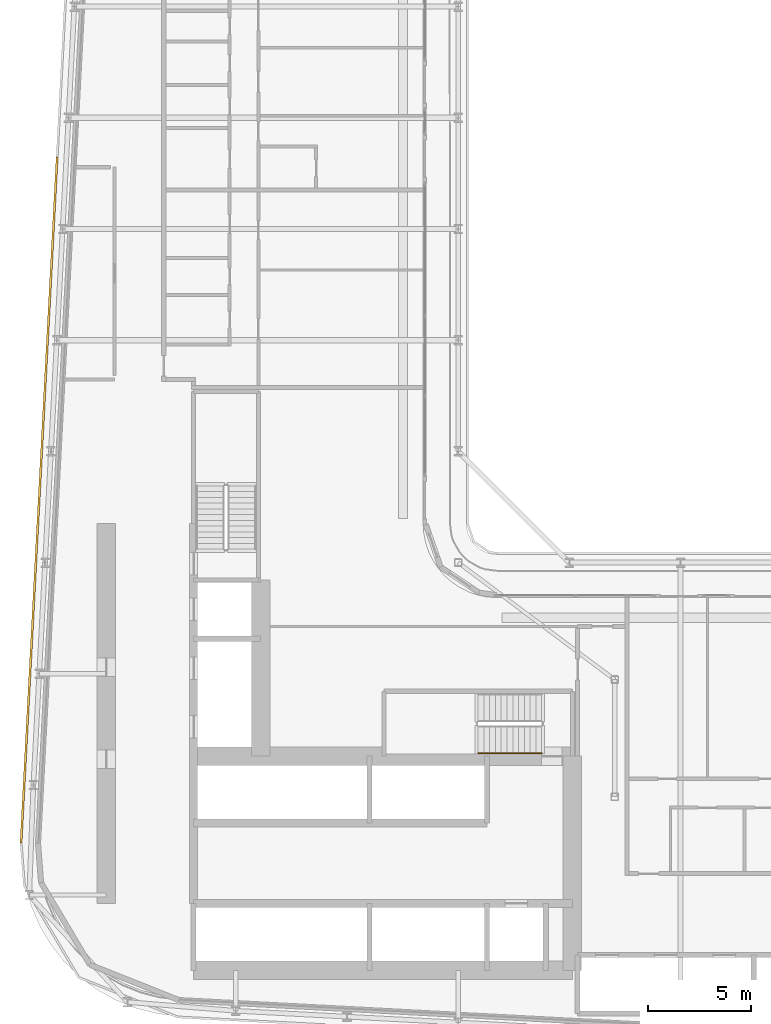
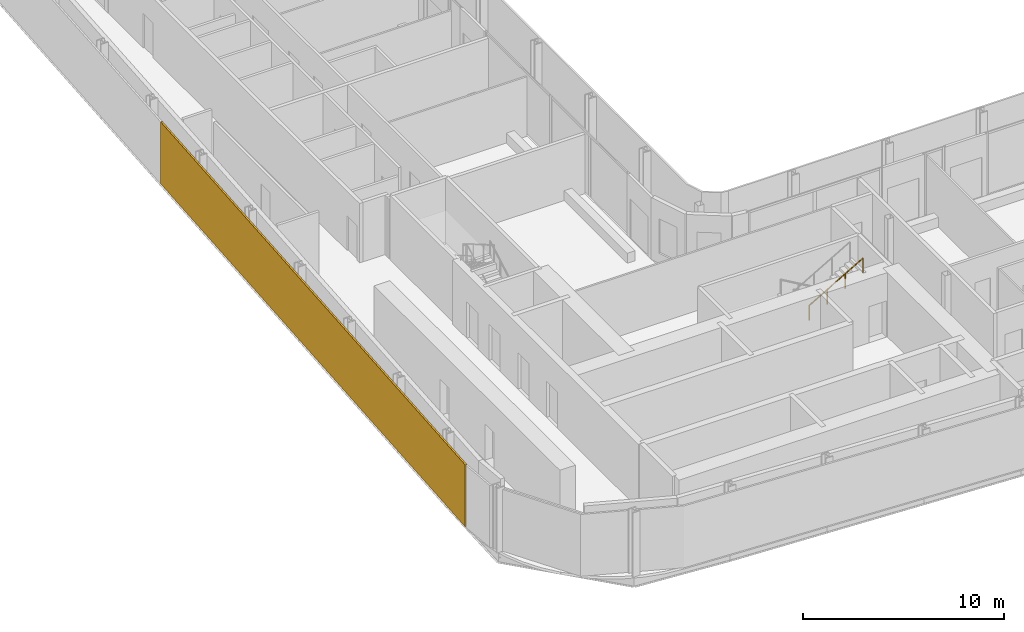
# One storey, part 22 of 28: 1 railing, 1 shading device.
"""IFC4 building model written with IfcOpenShell, lengths in metres."""

from ifc_helpers import new_model, si_unit, direction, frame, origin, origin_2d, place, context, subcontext, project, spatial, rectangle, circle, extrude, material, layer, layer_set, type_object, element, save


model = new_model("IFC4")

# Units and contexts
model_context = context("Model", 3, precision=1e-05, world=origin(), true_north=direction((0.0, 1.0)))
body_context = subcontext(model_context, "Body", "Model", "MODEL_VIEW")
ifc_project = project(units=[si_unit("LENGTHUNIT", "METRE"), si_unit("AREAUNIT", "SQUARE_METRE"), si_unit("VOLUMEUNIT", "CUBIC_METRE"), si_unit("PLANEANGLEUNIT", "RADIAN"), si_unit("MASSUNIT", "GRAM", prefix="KILO")], contexts=[model_context])

# Site, building, storey
site_placement = place(None, origin())
site = spatial("IfcSite", under=ifc_project, at=site_placement, CompositionType="ELEMENT")
building_placement = place(site_placement, origin())
building = spatial("IfcBuilding", under=site, at=building_placement, Name="Kheshtan School and Residences Tower", CompositionType="ELEMENT")
storey_placement = place(building_placement, frame((0.0, 0.0, 125.300048828125)))
storey = spatial("IfcBuildingStorey", under=building, at=storey_placement, Name="L29", CompositionType="ELEMENT", Elevation=125.300048828125)

# Shading device
ifc_material_1 = material(Name="Terracotta baguette, extruded ceramic", Category="masonry")
ifc_layer = layer(ifc_material_1, 0.10009765625)
ifc_layer_set = layer_set([ifc_layer], Name="Ledge screen, terracotta baguettes")
shading_device_type = type_object("IfcShadingDeviceType", Name="Ledge screen, terracotta baguettes", PredefinedType="USERDEFINED", material=ifc_layer_set)
shading_device_placement = place(storey_placement, frame((27.24609375, 48.638916015625, 0.0), z_axis=(0.0, 0.0, 1.0), x_axis=(0.052562536748, 0.998617634398, 0.0)))
element("IfcShadingDevice", 1, at=shading_device_placement, inside=storey, type_object=shading_device_type, Name="Screen L29 4", ObjectType="BAGUETTE", PredefinedType="USERDEFINED", context=body_context, shape_type="SweptSolid", body=[
    extrude(rectangle(XDim=33.341064453125, YDim=0.10009765625, at=origin_2d()), origin(), (0.0, 0.0, 1.0), 3.75),
])

# Railing
ifc_material_2 = material(Name="Stainless steel handrail", Category="steel")
railing_type = type_object("IfcRailingType", Name="Stair handrail 900", PredefinedType="HANDRAIL", material=ifc_material_2)
railing_placement = place(storey_placement, frame((48.570068359375, 36.35009765625, 2.112548828125)))
element("IfcRailing", 2, at=railing_placement, inside=storey, type_object=railing_type, Name="L29 ST1 stair handrail 2", PredefinedType="HANDRAIL", context=body_context, shape_type="SweptSolid", body=[
    extrude(circle(Radius=0.02392578125, at=origin_2d()), frame((0.0, 0.0, 0.8759765625), z_axis=(0.864903211148, 0.0, 0.501938676878), x_axis=(0.0, 1.0, 0.0)), (0.0, 0.0, 1.0), 3.560791015625),
    extrude(circle(Radius=0.02099609375, at=origin_2d()), origin(), (0.0, 0.0, 1.0), 0.851806640625),
    extrude(circle(Radius=0.02099609375, at=origin_2d()), frame((1.026611328125, 0.0, 0.595703125)), (0.0, 0.0, 1.0), 0.851806640625),
    extrude(circle(Radius=0.02099609375, at=origin_2d()), frame((2.05322265625, 0.0, 1.191650390625)), (0.0, 0.0, 1.0), 0.851806640625),
    extrude(circle(Radius=0.02099609375, at=origin_2d()), frame((3.079833984375, 0.0, 1.787353515625)), (0.0, 0.0, 1.0), 0.851806640625),
])

save(model, "model.ifc")
